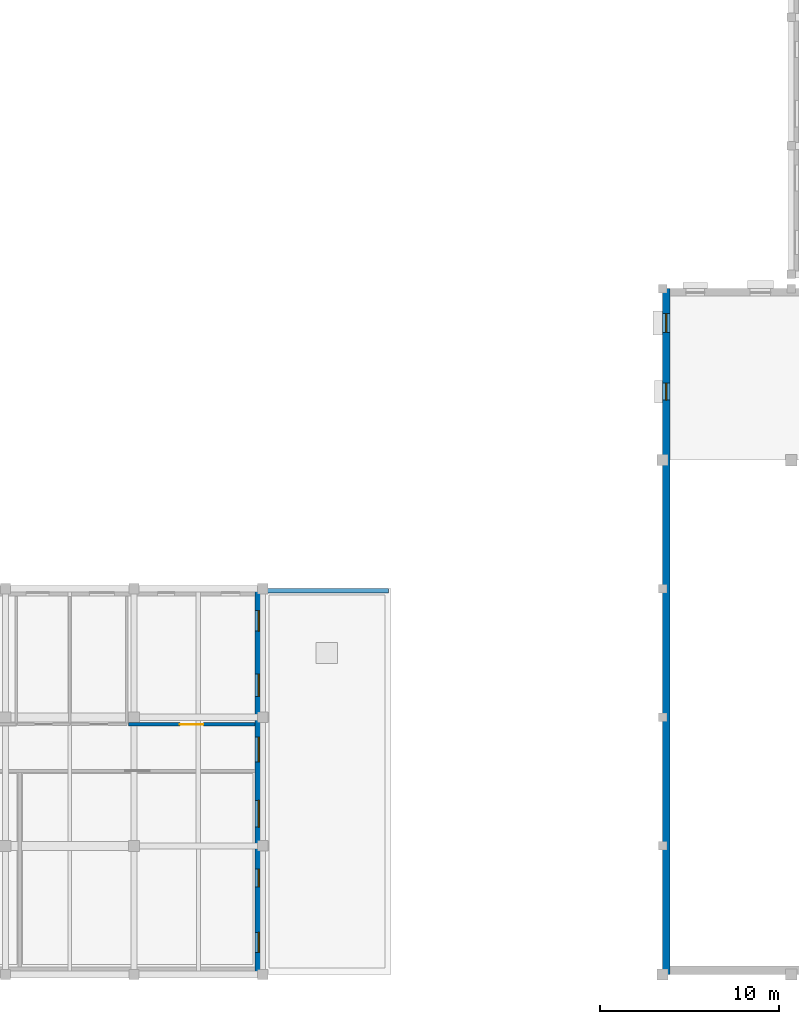
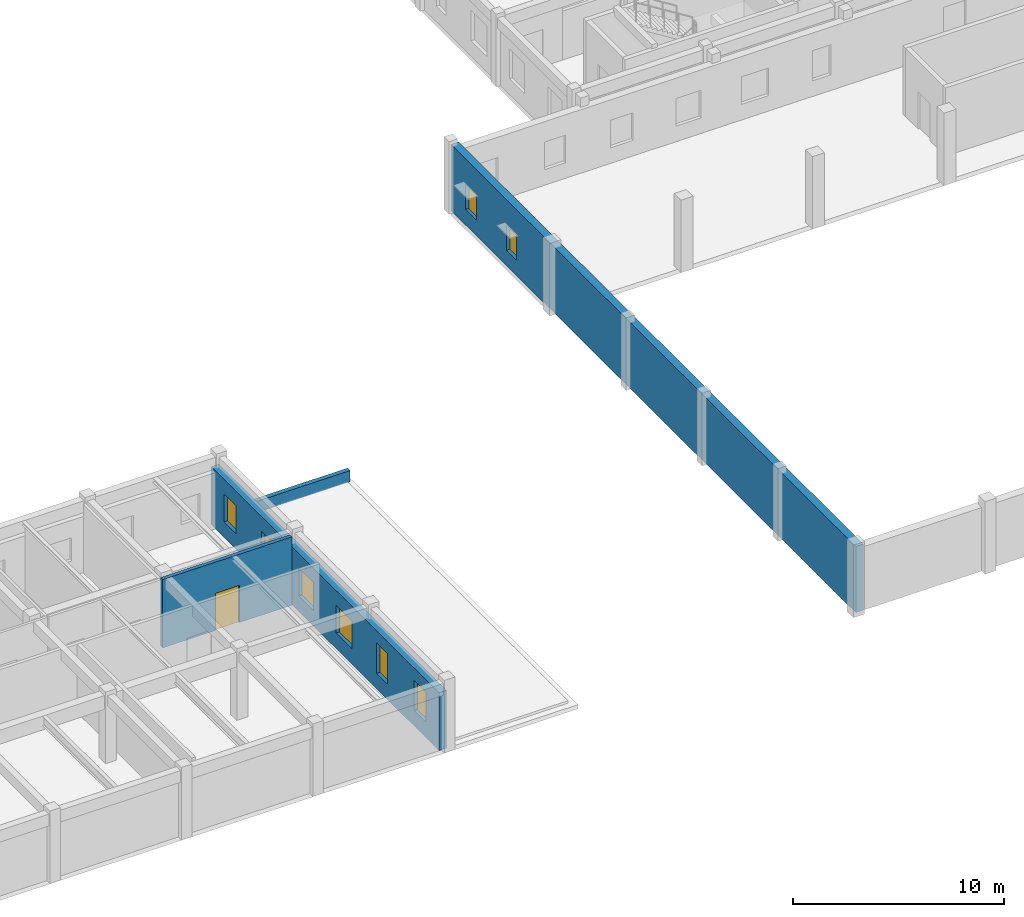
# One storey, part 30 of 49: 8 windows, 4 walls, 1 door, 9 openings.
"""IFC4 building model written with IfcOpenShell, lengths in metres."""

from ifc_helpers import new_model, si_unit, direction, frame, frame_2d, origin, place, context, subcontext, project, spatial, rectangle, extrude, material, layer, layer_set, type_object, element, fill, save


model = new_model("IFC4")

# Units and contexts
model_context = context("Model", 3, precision=1e-05, world=origin(), true_north=direction((0.0, 1.0)))
body_context = subcontext(model_context, "Body", "Model", "MODEL_VIEW")
ifc_project = project(units=[si_unit("LENGTHUNIT", "METRE"), si_unit("AREAUNIT", "SQUARE_METRE"), si_unit("VOLUMEUNIT", "CUBIC_METRE"), si_unit("PLANEANGLEUNIT", "RADIAN"), si_unit("MASSUNIT", "GRAM", prefix="KILO")], contexts=[model_context])

# Site, building, storey
site_placement = place(None, origin())
site = spatial("IfcSite", under=ifc_project, at=site_placement, CompositionType="ELEMENT")
building_placement = place(site_placement, origin())
building = spatial("IfcBuilding", under=site, at=building_placement, Name="Bramveld Media Centre", CompositionType="ELEMENT")
storey_placement = place(building_placement, frame((0.0, 0.0, 9.60009765625)))
storey = spatial("IfcBuildingStorey", under=building, at=storey_placement, Name="L02", CompositionType="ELEMENT", Elevation=9.60009765625)

# Wall, openings, windows
ifc_material_1 = material(Name="Flemish red-brown clay facing brick cavity wall with concrete C35/45 inner leaf", Category="masonry")
ifc_layer_1 = layer(ifc_material_1, 0.419921875)
ifc_layer_set_1 = layer_set([ifc_layer_1], Name="Flemish red-brown clay facing brick cavity wall with concrete C35/45 inner leaf")
wall_type_1 = type_object("IfcWallType", Name="EW-BRK-420", PredefinedType="SOLIDWALL", material=ifc_layer_set_1)
wall_1_placement = place(storey_placement, frame((124.2099609375, 0.0, 0.0), z_axis=(0.0, 0.0, 1.0), x_axis=(0.0, 1.0, 0.0)))
wall_1 = element("IfcWall", 1, at=wall_1_placement, inside=storey, type_object=wall_type_1, Name="V1 L02 W facing brick exterior wall", PredefinedType="SOLIDWALL", context=body_context, shape_type="SweptSolid", body=[
    extrude(rectangle(XDim=38.39990234375, YDim=0.419921875, at=frame_2d((19.199951171875, 0.0))), origin(), (0.0, 0.0, 1.0), 3.824951171875),
])
opening_1_placement = place(wall_1_placement, frame((32.1650390625, 0.0, 0.89990234375)))
opening_1 = element("IfcOpeningElement", 2, at=opening_1_placement, cuts=wall_1, Name="Opening W-07", PredefinedType="OPENING", context=body_context, shape_type="SweptSolid", body=[
    extrude(rectangle(XDim=0.949951171875, YDim=1.449951171875, at=frame_2d((0.47509765625, 0.72509765625))), frame((0.0, 0.221923828125, 0.0), z_axis=(0.0, -1.0, 0.0), x_axis=(1.0, 0.0, 0.0)), (0.0, 0.0, 1.0), 0.44384765625),
])
opening_2_placement = place(wall_1_placement, frame((35.955078125, 0.0, 0.89990234375)))
opening_2 = element("IfcOpeningElement", 3, at=opening_2_placement, cuts=wall_1, Name="Opening W-08", PredefinedType="OPENING", context=body_context, shape_type="SweptSolid", body=[
    extrude(rectangle(XDim=1.050048828125, YDim=1.449951171875, at=frame_2d((0.52490234375, 0.72509765625))), frame((0.0, 0.221923828125, 0.0), z_axis=(0.0, -1.0, 0.0), x_axis=(1.0, 0.0, 0.0)), (0.0, 0.0, 1.0), 0.44384765625),
])
ifc_material_2 = material(Name="Thermally broken anodized bronze aluminium frame with triple acoustic glazing", Category="aluminium")
window_type_1 = type_object("IfcWindowType", Name="WIN-FAC-07", PartitioningType="SINGLE_PANEL", PredefinedType="WINDOW", material=ifc_material_2)
window_1_placement = place(opening_1_placement, origin())
window_1 = element("IfcWindow", 4, at=window_1_placement, inside=storey, type_object=window_type_1, Name="V1 L02 W acoustic facade window", OverallHeight=1.449951171875, OverallWidth=0.949951171875, PartitioningType="SINGLE_PANEL", PredefinedType="WINDOW", context=body_context, shape_type="SweptSolid", body=[
    extrude(rectangle(XDim=0.949951171875, YDim=1.449951171875, at=frame_2d((0.47509765625, 0.72509765625))), frame((0.0, 0.030029296875, 0.0), z_axis=(0.0, -1.0, 0.0), x_axis=(1.0, 0.0, 0.0)), (0.0, 0.0, 1.0), 0.06005859375),
])
fill(opening_1, window_1)
ifc_material_3 = material(Name="Thermally broken anodized bronze aluminium frame with triple acoustic glazing", Category="aluminium")
window_type_2 = type_object("IfcWindowType", Name="WIN-FAC-08", PartitioningType="SINGLE_PANEL", PredefinedType="WINDOW", material=ifc_material_3)
window_2_placement = place(opening_2_placement, origin())
window_2 = element("IfcWindow", 5, at=window_2_placement, inside=storey, type_object=window_type_2, Name="V1 L02 W acoustic facade window", OverallHeight=1.449951171875, OverallWidth=1.050048828125, PartitioningType="SINGLE_PANEL", PredefinedType="WINDOW", context=body_context, shape_type="SweptSolid", body=[
    extrude(rectangle(XDim=1.050048828125, YDim=1.449951171875, at=frame_2d((0.52490234375, 0.72509765625))), frame((0.0, 0.030029296875, 0.0), z_axis=(0.0, -1.0, 0.0), x_axis=(1.0, 0.0, 0.0)), (0.0, 0.0, 1.0), 0.06005859375),
])
fill(opening_2, window_2)

wall_2_placement = place(storey_placement, frame((101.389892578125, 21.60009765625, 0.0), z_axis=(0.0, 0.0, 1.0), x_axis=(0.0, -1.0, 0.0)))
wall_2 = element("IfcWall", 6, at=wall_2_placement, inside=storey, type_object=wall_type_1, Name="V5 L02 E facing brick exterior wall", PredefinedType="SOLIDWALL", context=body_context, shape_type="SweptSolid", body=[
    extrude(rectangle(XDim=21.60009765625, YDim=0.419921875, at=frame_2d((10.800048828125, 0.0))), origin(), (0.0, 0.0, 1.0), 3.35498046875),
])
opening_3_placement = place(wall_2_placement, frame((1.22509765625, 0.0, 0.89990234375)))
opening_3 = element("IfcOpeningElement", 7, at=opening_3_placement, cuts=wall_2, Name="Opening W-15", PredefinedType="OPENING", context=body_context, shape_type="SweptSolid", body=[
    extrude(rectangle(XDim=1.14990234375, YDim=1.60009765625, at=frame_2d((0.574951171875, 0.800048828125))), frame((0.0, 0.221923828125, 0.0), z_axis=(0.0, -1.0, 0.0), x_axis=(1.0, 0.0, 0.0)), (0.0, 0.0, 1.0), 0.44384765625),
])
opening_4_placement = place(wall_2_placement, frame((4.77490234375, 0.0, 0.89990234375)))
opening_4 = element("IfcOpeningElement", 8, at=opening_4_placement, cuts=wall_2, Name="Opening W-16", PredefinedType="OPENING", context=body_context, shape_type="SweptSolid", body=[
    extrude(rectangle(XDim=1.25, YDim=1.60009765625, at=frame_2d((0.625, 0.800048828125))), frame((0.0, 0.221923828125, 0.0), z_axis=(0.0, -1.0, 0.0), x_axis=(1.0, 0.0, 0.0)), (0.0, 0.0, 1.0), 0.44384765625),
])
opening_5_placement = place(wall_2_placement, frame((8.31005859375, 0.0, 0.89990234375)))
opening_5 = element("IfcOpeningElement", 9, at=opening_5_placement, cuts=wall_2, Name="Opening W-17", PredefinedType="OPENING", context=body_context, shape_type="SweptSolid", body=[
    extrude(rectangle(XDim=1.3798828125, YDim=1.60009765625, at=frame_2d((0.68994140625, 0.800048828125))), frame((0.0, 0.221923828125, 0.0), z_axis=(0.0, -1.0, 0.0), x_axis=(1.0, 0.0, 0.0)), (0.0, 0.0, 1.0), 0.44384765625),
])
opening_6_placement = place(wall_2_placement, frame((11.85009765625, 0.0, 0.89990234375)))
opening_6 = element("IfcOpeningElement", 10, at=opening_6_placement, cuts=wall_2, Name="Opening W-18", PredefinedType="OPENING", context=body_context, shape_type="SweptSolid", body=[
    extrude(rectangle(XDim=1.5, YDim=1.60009765625, at=frame_2d((0.75, 0.800048828125))), frame((0.0, 0.221923828125, 0.0), z_axis=(0.0, -1.0, 0.0), x_axis=(1.0, 0.0, 0.0)), (0.0, 0.0, 1.0), 0.44384765625),
])
opening_7_placement = place(wall_2_placement, frame((15.699951171875, 0.0, 0.89990234375)))
opening_7 = element("IfcOpeningElement", 11, at=opening_7_placement, cuts=wall_2, Name="Opening W-19", PredefinedType="OPENING", context=body_context, shape_type="SweptSolid", body=[
    extrude(rectangle(XDim=1.0, YDim=1.75, at=frame_2d((0.5, 0.875))), frame((0.0, 0.221923828125, 0.0), z_axis=(0.0, -1.0, 0.0), x_axis=(1.0, 0.0, 0.0)), (0.0, 0.0, 1.0), 0.44384765625),
])
opening_8_placement = place(wall_2_placement, frame((19.239990234375, 0.0, 0.89990234375)))
opening_8 = element("IfcOpeningElement", 12, at=opening_8_placement, cuts=wall_2, Name="Opening W-20", PredefinedType="OPENING", context=body_context, shape_type="SweptSolid", body=[
    extrude(rectangle(XDim=1.1201171875, YDim=1.75, at=frame_2d((0.56005859375, 0.875))), frame((0.0, 0.221923828125, 0.0), z_axis=(0.0, -1.0, 0.0), x_axis=(1.0, 0.0, 0.0)), (0.0, 0.0, 1.0), 0.44384765625),
])
ifc_material_4 = material(Name="Thermally broken anodized bronze aluminium frame with triple acoustic glazing", Category="aluminium")
window_type_3 = type_object("IfcWindowType", Name="WIN-FAC-15", PartitioningType="SINGLE_PANEL", PredefinedType="WINDOW", material=ifc_material_4)
window_3_placement = place(opening_3_placement, origin())
window_3 = element("IfcWindow", 13, at=window_3_placement, inside=storey, type_object=window_type_3, Name="V5 L02 E acoustic facade window", OverallHeight=1.60009765625, OverallWidth=1.14990234375, PartitioningType="SINGLE_PANEL", PredefinedType="WINDOW", context=body_context, shape_type="SweptSolid", body=[
    extrude(rectangle(XDim=1.14990234375, YDim=1.60009765625, at=frame_2d((0.574951171875, 0.800048828125))), frame((0.0, 0.030029296875, 0.0), z_axis=(0.0, -1.0, 0.0), x_axis=(1.0, 0.0, 0.0)), (0.0, 0.0, 1.0), 0.06005859375),
])
fill(opening_3, window_3)
ifc_material_5 = material(Name="Thermally broken anodized bronze aluminium frame with triple acoustic glazing", Category="aluminium")
window_type_4 = type_object("IfcWindowType", Name="WIN-FAC-16", PartitioningType="SINGLE_PANEL", PredefinedType="WINDOW", material=ifc_material_5)
window_4_placement = place(opening_4_placement, origin())
window_4 = element("IfcWindow", 14, at=window_4_placement, inside=storey, type_object=window_type_4, Name="V5 L02 E acoustic facade window", OverallHeight=1.60009765625, OverallWidth=1.25, PartitioningType="SINGLE_PANEL", PredefinedType="WINDOW", context=body_context, shape_type="SweptSolid", body=[
    extrude(rectangle(XDim=1.25, YDim=1.60009765625, at=frame_2d((0.625, 0.800048828125))), frame((0.0, 0.030029296875, 0.0), z_axis=(0.0, -1.0, 0.0), x_axis=(1.0, 0.0, 0.0)), (0.0, 0.0, 1.0), 0.06005859375),
])
fill(opening_4, window_4)
ifc_material_6 = material(Name="Thermally broken anodized bronze aluminium frame with triple acoustic glazing", Category="aluminium")
window_type_5 = type_object("IfcWindowType", Name="WIN-FAC-17", PartitioningType="SINGLE_PANEL", PredefinedType="WINDOW", material=ifc_material_6)
window_5_placement = place(opening_5_placement, origin())
window_5 = element("IfcWindow", 15, at=window_5_placement, inside=storey, type_object=window_type_5, Name="V5 L02 E acoustic facade window", OverallHeight=1.60009765625, OverallWidth=1.3798828125, PartitioningType="SINGLE_PANEL", PredefinedType="WINDOW", context=body_context, shape_type="SweptSolid", body=[
    extrude(rectangle(XDim=1.3798828125, YDim=1.60009765625, at=frame_2d((0.68994140625, 0.800048828125))), frame((0.0, 0.030029296875, 0.0), z_axis=(0.0, -1.0, 0.0), x_axis=(1.0, 0.0, 0.0)), (0.0, 0.0, 1.0), 0.06005859375),
])
fill(opening_5, window_5)
ifc_material_7 = material(Name="Thermally broken anodized bronze aluminium frame with triple acoustic glazing", Category="aluminium")
window_type_6 = type_object("IfcWindowType", Name="WIN-FAC-18", PartitioningType="SINGLE_PANEL", PredefinedType="WINDOW", material=ifc_material_7)
window_6_placement = place(opening_6_placement, origin())
window_6 = element("IfcWindow", 16, at=window_6_placement, inside=storey, type_object=window_type_6, Name="V5 L02 E acoustic facade window", OverallHeight=1.60009765625, OverallWidth=1.5, PartitioningType="SINGLE_PANEL", PredefinedType="WINDOW", context=body_context, shape_type="SweptSolid", body=[
    extrude(rectangle(XDim=1.5, YDim=1.60009765625, at=frame_2d((0.75, 0.800048828125))), frame((0.0, 0.030029296875, 0.0), z_axis=(0.0, -1.0, 0.0), x_axis=(1.0, 0.0, 0.0)), (0.0, 0.0, 1.0), 0.06005859375),
])
fill(opening_6, window_6)
ifc_material_8 = material(Name="Thermally broken anodized bronze aluminium frame with triple acoustic glazing", Category="aluminium")
window_type_7 = type_object("IfcWindowType", Name="WIN-FAC-19", PartitioningType="SINGLE_PANEL", PredefinedType="WINDOW", material=ifc_material_8)
window_7_placement = place(opening_7_placement, origin())
window_7 = element("IfcWindow", 17, at=window_7_placement, inside=storey, type_object=window_type_7, Name="V5 L02 E acoustic facade window", OverallHeight=1.75, OverallWidth=1.0, PartitioningType="SINGLE_PANEL", PredefinedType="WINDOW", context=body_context, shape_type="SweptSolid", body=[
    extrude(rectangle(XDim=1.0, YDim=1.75, at=frame_2d((0.5, 0.875))), frame((0.0, 0.030029296875, 0.0), z_axis=(0.0, -1.0, 0.0), x_axis=(1.0, 0.0, 0.0)), (0.0, 0.0, 1.0), 0.06005859375),
])
fill(opening_7, window_7)
ifc_material_9 = material(Name="Thermally broken anodized bronze aluminium frame with triple acoustic glazing", Category="aluminium")
window_type_8 = type_object("IfcWindowType", Name="WIN-FAC-20", PartitioningType="SINGLE_PANEL", PredefinedType="WINDOW", material=ifc_material_9)
window_8_placement = place(opening_8_placement, origin())
window_8 = element("IfcWindow", 18, at=window_8_placement, inside=storey, type_object=window_type_8, Name="V5 L02 E acoustic facade window", OverallHeight=1.75, OverallWidth=1.1201171875, PartitioningType="SINGLE_PANEL", PredefinedType="WINDOW", context=body_context, shape_type="SweptSolid", body=[
    extrude(rectangle(XDim=1.1201171875, YDim=1.75, at=frame_2d((0.56005859375, 0.875))), frame((0.0, 0.030029296875, 0.0), z_axis=(0.0, -1.0, 0.0), x_axis=(1.0, 0.0, 0.0)), (0.0, 0.0, 1.0), 0.06005859375),
])
fill(opening_8, window_8)

# Wall, opening, door
ifc_material_10 = material(Name="Acoustic calcium-silicate & mineral-wool compartment partition", Category="masonry")
ifc_layer_2 = layer(ifc_material_10, 0.199951171875)
ifc_layer_set_2 = layer_set([ifc_layer_2], Name="Acoustic calcium-silicate & mineral-wool compartment partition")
wall_type_2 = type_object("IfcWallType", Name="IW-ACOU-200", PredefinedType="PARTITIONING", material=ifc_layer_set_2)
wall_3_placement = place(storey_placement, frame((94.080078125, 14.0, 0.0), z_axis=(0.0, 0.0, 1.0), x_axis=(1.0, 0.0, 0.0)))
wall_3 = element("IfcWall", 19, at=wall_3_placement, inside=storey, type_object=wall_type_2, Name="Vault Dehumidification Plant Room partition wall", PredefinedType="PARTITIONING", context=body_context, shape_type="SweptSolid", body=[
    extrude(rectangle(XDim=7.08984375, YDim=0.199951171875, at=frame_2d((3.544921875, 0.0))), origin(), (0.0, 0.0, 1.0), 3.9599609375),
])
opening_9_placement = place(wall_3_placement, frame((2.885009765625, 0.0, 0.0)))
opening_9 = element("IfcOpeningElement", 20, at=opening_9_placement, cuts=wall_3, Name="Opening D-02-124", PredefinedType="OPENING", context=body_context, shape_type="SweptSolid", body=[
    extrude(rectangle(XDim=1.320068359375, YDim=2.14990234375, at=frame_2d((0.66015625, 1.074951171875))), frame((0.0, 0.11181640625, 0.0), z_axis=(0.0, -1.0, 0.0), x_axis=(1.0, 0.0, 0.0)), (0.0, 0.0, 1.0), 0.223876953125),
])
ifc_material_11 = material(Name="Fire-rated acoustic timber & steel composite door", Category="steel")
door_type = type_object("IfcDoorType", Name="DR-PLANT-1320", OperationType="NOTDEFINED", PredefinedType="DOOR", material=ifc_material_11)
door_placement = place(opening_9_placement, origin())
door = element("IfcDoor", 21, at=door_placement, inside=storey, type_object=door_type, Name="Vault Dehumidification Plant Room entrance door", OperationType="SINGLE_SWING_LEFT", OverallHeight=2.14990234375, OverallWidth=1.320068359375, PredefinedType="DOOR", context=body_context, shape_type="SweptSolid", body=[
    extrude(rectangle(XDim=1.320068359375, YDim=2.14990234375, at=frame_2d((0.66015625, 1.074951171875))), frame((0.0, 0.02490234375, 0.0), z_axis=(0.0, -1.0, 0.0), x_axis=(1.0, 0.0, 0.0)), (0.0, 0.0, 1.0), 0.050048828125),
])
fill(opening_9, door)

# Wall
ifc_material_12 = material(Name="Precast concrete C40/50 capped brick roof parapet", Category="masonry")
ifc_layer_3 = layer(ifc_material_12, 0.239990234375)
ifc_layer_set_3 = layer_set([ifc_layer_3], Name="Precast concrete C40/50 capped brick roof parapet")
wall_type_3 = type_object("IfcWallType", Name="PARAPET-240", PredefinedType="PARAPET", material=ifc_layer_set_3)
wall_4_placement = place(storey_placement, frame((101.75, 21.47998046875, 0.0), z_axis=(0.0, 0.0, 1.0), x_axis=(1.0, 0.0, 0.0)))
element("IfcWall", 22, at=wall_4_placement, inside=storey, type_object=wall_type_3, Name="V5 L02 roof parapet upstand", PredefinedType="PARAPET", context=body_context, shape_type="SweptSolid", body=[
    extrude(rectangle(XDim=6.89990234375, YDim=0.239990234375, at=frame_2d((3.449951171875, 0.0))), origin(), (0.0, 0.0, 1.0), 0.64990234375),
])

save(model, "model.ifc")
